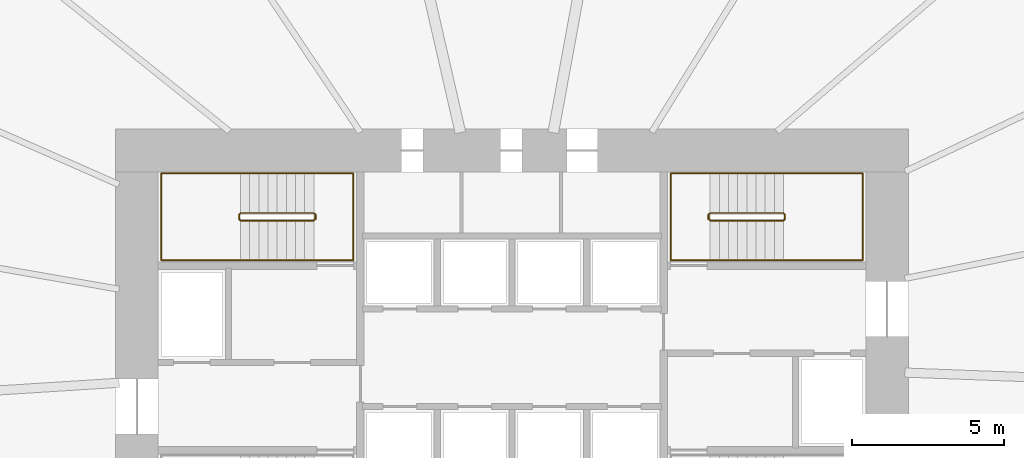
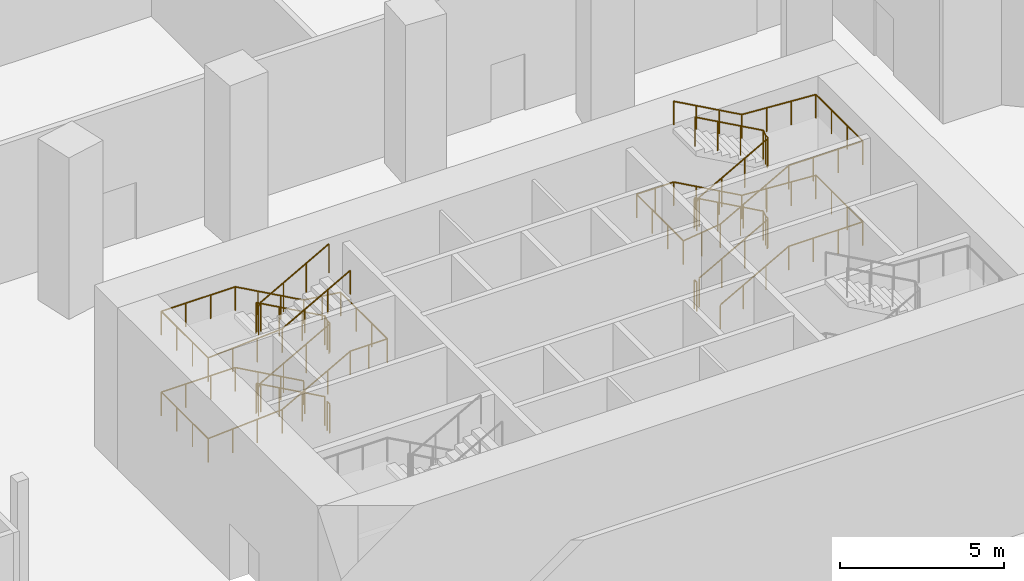
# One storey, part 15 of 19: 6 railings.
"""IFC4 building model written with IfcOpenShell, lengths in metres."""

from ifc_helpers import new_model, si_unit, direction, frame, origin, origin_2d, place, context, subcontext, project, spatial, circle, extrude, material, type_object, element, save


model = new_model("IFC4")

# Units and contexts
model_context = context("Model", 3, precision=1e-05, world=origin(), true_north=direction((0.0, 1.0)))
body_context = subcontext(model_context, "Body", "Model", "MODEL_VIEW")
ifc_project = project(units=[si_unit("LENGTHUNIT", "METRE"), si_unit("AREAUNIT", "SQUARE_METRE"), si_unit("VOLUMEUNIT", "CUBIC_METRE"), si_unit("PLANEANGLEUNIT", "RADIAN"), si_unit("MASSUNIT", "GRAM", prefix="KILO")], contexts=[model_context])

# Site, building, storey
site_placement = place(None, origin())
site = spatial("IfcSite", under=ifc_project, at=site_placement, CompositionType="ELEMENT")
building_placement = place(site_placement, origin())
building = spatial("IfcBuilding", under=site, at=building_placement, Name="Rubra Terraces Tower", CompositionType="ELEMENT")
storey_placement = place(building_placement, frame((0.0, 0.0, -6.0)))
storey = spatial("IfcBuildingStorey", under=building, at=storey_placement, Name="B1", CompositionType="ELEMENT", Elevation=-6.0)

# Railings
ifc_material = material(Name="Stainless steel", Category="steel")
railing_type_1 = type_object("IfcRailingType", Name="Core stair guard 1100", PredefinedType="GUARDRAIL", material=ifc_material)
railing_1_placement = place(storey_placement, frame((-6.5, 9.25, 0.166748046875)))
element("IfcRailing", 1, at=railing_1_placement, inside=storey, type_object=railing_type_1, Name="B1 stair S2 guard 1", PredefinedType="GUARDRAIL", context=body_context, shape_type="SweptSolid", body=[
    extrude(circle(Radius=0.02392578125, at=origin_2d()), frame((0.0, 0.0, 1.076171875), z_axis=(-0.874161470802, 0.0, 0.485635380677), x_axis=(0.0, -1.0, 0.0)), (0.0, 0.0, 1.0), 2.745361328125),
    extrude(circle(Radius=0.02392578125, at=origin_2d()), frame((-2.39990234375, 0.0, 2.4091796875), z_axis=(-0.707106781187, -0.707106781187, 0.0), x_axis=(0.707106781187, -0.707106781187, 0.0)), (0.0, 0.0, 1.0), 0.07080078125),
    extrude(circle(Radius=0.02392578125, at=origin_2d()), frame((-2.449951171875, -0.050048828125, 2.4091796875), z_axis=(0.0, -1.0, 0.0), x_axis=(1.0, 0.0, 0.0)), (0.0, 0.0, 1.0), 0.14990234375),
    extrude(circle(Radius=0.02392578125, at=origin_2d()), frame((-2.449951171875, -0.199951171875, 2.4091796875), z_axis=(0.27628659633, -0.27628659633, 0.920506074601), x_axis=(0.707106781187, 0.707106781187, 0.0)), (0.0, 0.0, 1.0), 0.18115234375),
    extrude(circle(Radius=0.02392578125, at=origin_2d()), frame((-2.39990234375, -0.25, 2.576171875), z_axis=(0.874161470802, 0.0, 0.485635380677), x_axis=(0.0, 1.0, 0.0)), (0.0, 0.0, 1.0), 2.745361328125),
    extrude(circle(Radius=0.02392578125, at=origin_2d()), frame((0.0, -0.25, 3.9091796875), z_axis=(0.707106781187, 0.707106781187, 0.0), x_axis=(-0.707106781187, 0.707106781187, 0.0)), (0.0, 0.0, 1.0), 0.07080078125),
    extrude(circle(Radius=0.02392578125, at=origin_2d()), frame((0.050048828125, -0.199951171875, 3.9091796875), z_axis=(0.0, 1.0, 0.0), x_axis=(-1.0, 0.0, 0.0)), (0.0, 0.0, 1.0), 0.14990234375),
    extrude(circle(Radius=0.02392578125, at=origin_2d()), frame((0.050048828125, -0.050048828125, 3.9091796875), z_axis=(-0.27628659633, 0.27628659633, 0.920506074601), x_axis=(-0.707106781187, -0.707106781187, 0.0)), (0.0, 0.0, 1.0), 0.18115234375),
    extrude(circle(Radius=0.02392578125, at=origin_2d()), frame((0.0, 0.0, 4.076171875), z_axis=(-0.874161470802, 0.0, 0.485635380677), x_axis=(0.0, -1.0, 0.0)), (0.0, 0.0, 1.0), 2.745361328125),
    extrude(circle(Radius=0.02392578125, at=origin_2d()), frame((-2.39990234375, 0.0, 5.4091796875), z_axis=(-0.707106781187, -0.707106781187, 0.0), x_axis=(0.707106781187, -0.707106781187, 0.0)), (0.0, 0.0, 1.0), 0.07080078125),
    extrude(circle(Radius=0.02392578125, at=origin_2d()), frame((-2.449951171875, -0.050048828125, 5.4091796875), z_axis=(0.0, -1.0, 0.0), x_axis=(1.0, 0.0, 0.0)), (0.0, 0.0, 1.0), 0.14990234375),
    extrude(circle(Radius=0.02392578125, at=origin_2d()), frame((-2.449951171875, -0.199951171875, 5.4091796875), z_axis=(0.27628659633, -0.27628659633, 0.920506074601), x_axis=(0.707106781187, 0.707106781187, 0.0)), (0.0, 0.0, 1.0), 0.18115234375),
    extrude(circle(Radius=0.02392578125, at=origin_2d()), frame((-2.39990234375, -0.25, 5.576171875), z_axis=(0.874161470802, 0.0, 0.485635380677), x_axis=(0.0, 1.0, 0.0)), (0.0, 0.0, 1.0), 2.745361328125),
    extrude(circle(Radius=0.02099609375, at=origin_2d()), origin(), (0.0, 0.0, 1.0), 1.052001953125),
    extrude(circle(Radius=0.02099609375, at=origin_2d()), frame((-0.800048828125, 0.0, 0.4443359375)), (0.0, 0.0, 1.0), 1.052001953125),
    extrude(circle(Radius=0.02099609375, at=origin_2d()), frame((-1.599853515625, 0.0, 0.888916015625)), (0.0, 0.0, 1.0), 1.052001953125),
    extrude(circle(Radius=0.02099609375, at=origin_2d()), frame((-2.39990234375, 0.0, 1.333251953125)), (0.0, 0.0, 1.0), 1.052001953125),
    extrude(circle(Radius=0.02099609375, at=origin_2d()), frame((-2.449951171875, -0.050048828125, 1.333251953125)), (0.0, 0.0, 1.0), 1.052001953125),
    extrude(circle(Radius=0.02099609375, at=origin_2d()), frame((-2.449951171875, -0.199951171875, 1.333251953125)), (0.0, 0.0, 1.0), 1.052001953125),
    extrude(circle(Radius=0.02099609375, at=origin_2d()), frame((-2.39990234375, -0.25, 1.5)), (0.0, 0.0, 1.0), 1.052001953125),
    extrude(circle(Radius=0.02099609375, at=origin_2d()), frame((-1.599853515625, -0.25, 1.9443359375)), (0.0, 0.0, 1.0), 1.052001953125),
    extrude(circle(Radius=0.02099609375, at=origin_2d()), frame((-0.800048828125, -0.25, 2.388916015625)), (0.0, 0.0, 1.0), 1.052001953125),
    extrude(circle(Radius=0.02099609375, at=origin_2d()), frame((0.0, -0.25, 2.833251953125)), (0.0, 0.0, 1.0), 1.052001953125),
    extrude(circle(Radius=0.02099609375, at=origin_2d()), frame((0.050048828125, -0.199951171875, 2.833251953125)), (0.0, 0.0, 1.0), 1.052001953125),
    extrude(circle(Radius=0.02099609375, at=origin_2d()), frame((0.050048828125, -0.050048828125, 2.833251953125)), (0.0, 0.0, 1.0), 1.052001953125),
    extrude(circle(Radius=0.02099609375, at=origin_2d()), frame((0.0, 0.0, 3.0)), (0.0, 0.0, 1.0), 1.052001953125),
    extrude(circle(Radius=0.02099609375, at=origin_2d()), frame((-0.800048828125, 0.0, 3.4443359375)), (0.0, 0.0, 1.0), 1.052001953125),
    extrude(circle(Radius=0.02099609375, at=origin_2d()), frame((-1.599853515625, 0.0, 3.888916015625)), (0.0, 0.0, 1.0), 1.052001953125),
    extrude(circle(Radius=0.02099609375, at=origin_2d()), frame((-2.39990234375, 0.0, 4.333251953125)), (0.0, 0.0, 1.0), 1.052001953125),
    extrude(circle(Radius=0.02099609375, at=origin_2d()), frame((-2.449951171875, -0.050048828125, 4.333251953125)), (0.0, 0.0, 1.0), 1.052001953125),
    extrude(circle(Radius=0.02099609375, at=origin_2d()), frame((-2.449951171875, -0.199951171875, 4.333251953125)), (0.0, 0.0, 1.0), 1.052001953125),
    extrude(circle(Radius=0.02099609375, at=origin_2d()), frame((-2.39990234375, -0.25, 4.5)), (0.0, 0.0, 1.0), 1.052001953125),
    extrude(circle(Radius=0.02099609375, at=origin_2d()), frame((-1.599853515625, -0.25, 4.9443359375)), (0.0, 0.0, 1.0), 1.052001953125),
    extrude(circle(Radius=0.02099609375, at=origin_2d()), frame((-0.800048828125, -0.25, 5.388916015625)), (0.0, 0.0, 1.0), 1.052001953125),
    extrude(circle(Radius=0.02099609375, at=origin_2d()), frame((0.0, -0.25, 5.833251953125)), (0.0, 0.0, 1.0), 1.052001953125),
])
railing_2_placement = place(storey_placement, frame((-6.449951171875, 9.199951171875, 0.0)))
element("IfcRailing", 2, at=railing_2_placement, inside=storey, type_object=railing_type_1, Name="B1 stair S2 guard 2", PredefinedType="GUARDRAIL", context=body_context, shape_type="SweptSolid", body=[
    extrude(circle(Radius=0.02392578125, at=origin_2d()), frame((0.0, 0.0, 1.076171875), z_axis=(0.0, -1.0, 0.0), x_axis=(1.0, 0.0, 0.0)), (0.0, 0.0, 1.0), 0.14990234375),
    extrude(circle(Radius=0.02099609375, at=origin_2d()), origin(), (0.0, 0.0, 1.0), 1.052001953125),
    extrude(circle(Radius=0.02099609375, at=origin_2d()), frame((0.0, -0.14990234375, 0.0)), (0.0, 0.0, 1.0), 1.052001953125),
])
railing_3_placement = place(storey_placement, frame((6.5, 9.0, 0.166748046875)))
element("IfcRailing", 3, at=railing_3_placement, inside=storey, type_object=railing_type_1, Name="B1 stair S3 guard 1", PredefinedType="GUARDRAIL", context=body_context, shape_type="SweptSolid", body=[
    extrude(circle(Radius=0.02392578125, at=origin_2d()), frame((0.0, 0.0, 1.076171875), z_axis=(0.874161470802, 0.0, 0.485635380677), x_axis=(0.0, 1.0, 0.0)), (0.0, 0.0, 1.0), 2.745361328125),
    extrude(circle(Radius=0.02392578125, at=origin_2d()), frame((2.39990234375, 0.0, 2.4091796875), z_axis=(0.707106781187, 0.707106781187, 0.0), x_axis=(-0.707106781187, 0.707106781187, 0.0)), (0.0, 0.0, 1.0), 0.07080078125),
    extrude(circle(Radius=0.02392578125, at=origin_2d()), frame((2.449951171875, 0.050048828125, 2.4091796875), z_axis=(0.0, 1.0, 0.0), x_axis=(-1.0, 0.0, 0.0)), (0.0, 0.0, 1.0), 0.14990234375),
    extrude(circle(Radius=0.02392578125, at=origin_2d()), frame((2.449951171875, 0.199951171875, 2.4091796875), z_axis=(-0.27628659633, 0.27628659633, 0.920506074601), x_axis=(-0.707106781187, -0.707106781187, 0.0)), (0.0, 0.0, 1.0), 0.18115234375),
    extrude(circle(Radius=0.02392578125, at=origin_2d()), frame((2.39990234375, 0.25, 2.576171875), z_axis=(-0.874161470802, 0.0, 0.485635380677), x_axis=(0.0, -1.0, 0.0)), (0.0, 0.0, 1.0), 2.745361328125),
    extrude(circle(Radius=0.02392578125, at=origin_2d()), frame((0.0, 0.25, 3.9091796875), z_axis=(-0.707106781187, -0.707106781187, 0.0), x_axis=(0.707106781187, -0.707106781187, 0.0)), (0.0, 0.0, 1.0), 0.07080078125),
    extrude(circle(Radius=0.02392578125, at=origin_2d()), frame((-0.050048828125, 0.199951171875, 3.9091796875), z_axis=(0.0, -1.0, 0.0), x_axis=(1.0, 0.0, 0.0)), (0.0, 0.0, 1.0), 0.14990234375),
    extrude(circle(Radius=0.02392578125, at=origin_2d()), frame((-0.050048828125, 0.050048828125, 3.9091796875), z_axis=(0.27628659633, -0.27628659633, 0.920506074601), x_axis=(0.707106781187, 0.707106781187, 0.0)), (0.0, 0.0, 1.0), 0.18115234375),
    extrude(circle(Radius=0.02392578125, at=origin_2d()), frame((0.0, 0.0, 4.076171875), z_axis=(0.874161470802, 0.0, 0.485635380677), x_axis=(0.0, 1.0, 0.0)), (0.0, 0.0, 1.0), 2.745361328125),
    extrude(circle(Radius=0.02392578125, at=origin_2d()), frame((2.39990234375, 0.0, 5.4091796875), z_axis=(0.707106781187, 0.707106781187, 0.0), x_axis=(-0.707106781187, 0.707106781187, 0.0)), (0.0, 0.0, 1.0), 0.07080078125),
    extrude(circle(Radius=0.02392578125, at=origin_2d()), frame((2.449951171875, 0.050048828125, 5.4091796875), z_axis=(0.0, 1.0, 0.0), x_axis=(-1.0, 0.0, 0.0)), (0.0, 0.0, 1.0), 0.14990234375),
    extrude(circle(Radius=0.02392578125, at=origin_2d()), frame((2.449951171875, 0.199951171875, 5.4091796875), z_axis=(-0.27628659633, 0.27628659633, 0.920506074601), x_axis=(-0.707106781187, -0.707106781187, 0.0)), (0.0, 0.0, 1.0), 0.18115234375),
    extrude(circle(Radius=0.02392578125, at=origin_2d()), frame((2.39990234375, 0.25, 5.576171875), z_axis=(-0.874161470802, 0.0, 0.485635380677), x_axis=(0.0, -1.0, 0.0)), (0.0, 0.0, 1.0), 2.745361328125),
    extrude(circle(Radius=0.02099609375, at=origin_2d()), origin(), (0.0, 0.0, 1.0), 1.052001953125),
    extrude(circle(Radius=0.02099609375, at=origin_2d()), frame((0.800048828125, 0.0, 0.4443359375)), (0.0, 0.0, 1.0), 1.052001953125),
    extrude(circle(Radius=0.02099609375, at=origin_2d()), frame((1.599853515625, 0.0, 0.888916015625)), (0.0, 0.0, 1.0), 1.052001953125),
    extrude(circle(Radius=0.02099609375, at=origin_2d()), frame((2.39990234375, 0.0, 1.333251953125)), (0.0, 0.0, 1.0), 1.052001953125),
    extrude(circle(Radius=0.02099609375, at=origin_2d()), frame((2.449951171875, 0.050048828125, 1.333251953125)), (0.0, 0.0, 1.0), 1.052001953125),
    extrude(circle(Radius=0.02099609375, at=origin_2d()), frame((2.449951171875, 0.199951171875, 1.333251953125)), (0.0, 0.0, 1.0), 1.052001953125),
    extrude(circle(Radius=0.02099609375, at=origin_2d()), frame((2.39990234375, 0.25, 1.5)), (0.0, 0.0, 1.0), 1.052001953125),
    extrude(circle(Radius=0.02099609375, at=origin_2d()), frame((1.599853515625, 0.25, 1.9443359375)), (0.0, 0.0, 1.0), 1.052001953125),
    extrude(circle(Radius=0.02099609375, at=origin_2d()), frame((0.800048828125, 0.25, 2.388916015625)), (0.0, 0.0, 1.0), 1.052001953125),
    extrude(circle(Radius=0.02099609375, at=origin_2d()), frame((0.0, 0.25, 2.833251953125)), (0.0, 0.0, 1.0), 1.052001953125),
    extrude(circle(Radius=0.02099609375, at=origin_2d()), frame((-0.050048828125, 0.199951171875, 2.833251953125)), (0.0, 0.0, 1.0), 1.052001953125),
    extrude(circle(Radius=0.02099609375, at=origin_2d()), frame((-0.050048828125, 0.050048828125, 2.833251953125)), (0.0, 0.0, 1.0), 1.052001953125),
    extrude(circle(Radius=0.02099609375, at=origin_2d()), frame((0.0, 0.0, 3.0)), (0.0, 0.0, 1.0), 1.052001953125),
    extrude(circle(Radius=0.02099609375, at=origin_2d()), frame((0.800048828125, 0.0, 3.4443359375)), (0.0, 0.0, 1.0), 1.052001953125),
    extrude(circle(Radius=0.02099609375, at=origin_2d()), frame((1.599853515625, 0.0, 3.888916015625)), (0.0, 0.0, 1.0), 1.052001953125),
    extrude(circle(Radius=0.02099609375, at=origin_2d()), frame((2.39990234375, 0.0, 4.333251953125)), (0.0, 0.0, 1.0), 1.052001953125),
    extrude(circle(Radius=0.02099609375, at=origin_2d()), frame((2.449951171875, 0.050048828125, 4.333251953125)), (0.0, 0.0, 1.0), 1.052001953125),
    extrude(circle(Radius=0.02099609375, at=origin_2d()), frame((2.449951171875, 0.199951171875, 4.333251953125)), (0.0, 0.0, 1.0), 1.052001953125),
    extrude(circle(Radius=0.02099609375, at=origin_2d()), frame((2.39990234375, 0.25, 4.5)), (0.0, 0.0, 1.0), 1.052001953125),
    extrude(circle(Radius=0.02099609375, at=origin_2d()), frame((1.599853515625, 0.25, 4.9443359375)), (0.0, 0.0, 1.0), 1.052001953125),
    extrude(circle(Radius=0.02099609375, at=origin_2d()), frame((0.800048828125, 0.25, 5.388916015625)), (0.0, 0.0, 1.0), 1.052001953125),
    extrude(circle(Radius=0.02099609375, at=origin_2d()), frame((0.0, 0.25, 5.833251953125)), (0.0, 0.0, 1.0), 1.052001953125),
])
railing_4_placement = place(storey_placement, frame((6.449951171875, 9.050048828125, 0.0)))
element("IfcRailing", 4, at=railing_4_placement, inside=storey, type_object=railing_type_1, Name="B1 stair S3 guard 2", PredefinedType="GUARDRAIL", context=body_context, shape_type="SweptSolid", body=[
    extrude(circle(Radius=0.02392578125, at=origin_2d()), frame((0.0, 0.0, 1.076171875), z_axis=(0.0, 1.0, 0.0), x_axis=(-1.0, 0.0, 0.0)), (0.0, 0.0, 1.0), 0.14990234375),
    extrude(circle(Radius=0.02099609375, at=origin_2d()), origin(), (0.0, 0.0, 1.0), 1.052001953125),
    extrude(circle(Radius=0.02099609375, at=origin_2d()), frame((0.0, 0.14990234375, 0.0)), (0.0, 0.0, 1.0), 1.052001953125),
])
railing_type_2 = type_object("IfcRailingType", Name="Core stair handrail 900", PredefinedType="HANDRAIL", material=ifc_material)
railing_5_placement = place(storey_placement, frame((-6.5, 10.550048828125, 0.166748046875)))
element("IfcRailing", 5, at=railing_5_placement, inside=storey, type_object=railing_type_2, Name="B1 stair S2 handrail 1", PredefinedType="HANDRAIL", context=body_context, shape_type="SweptSolid", body=[
    extrude(circle(Radius=0.02392578125, at=origin_2d()), frame((0.0, 0.0, 0.8759765625), z_axis=(-0.874161470802, 0.0, 0.485635380677), x_axis=(0.0, -1.0, 0.0)), (0.0, 0.0, 1.0), 2.745361328125),
    extrude(circle(Radius=0.02392578125, at=origin_2d()), frame((-2.39990234375, 0.0, 2.208984375), z_axis=(-1.0, 0.0, 0.0), x_axis=(0.0, -1.0, 0.0)), (0.0, 0.0, 1.0), 2.60009765625),
    extrude(circle(Radius=0.02392578125, at=origin_2d()), frame((-5.0, 0.0, 2.208984375), z_axis=(0.0, -1.0, 0.0), x_axis=(1.0, 0.0, 0.0)), (0.0, 0.0, 1.0), 2.85009765625),
    extrude(circle(Radius=0.02392578125, at=origin_2d()), frame((-5.0, -2.85009765625, 2.208984375), z_axis=(0.997949899857, 0.0, 0.063999979493), x_axis=(0.0, 1.0, 0.0)), (0.0, 0.0, 1.0), 2.60546875),
    extrude(circle(Radius=0.02392578125, at=origin_2d()), frame((-2.39990234375, -2.85009765625, 2.3759765625), z_axis=(0.874161470802, 0.0, 0.485635380677), x_axis=(0.0, 1.0, 0.0)), (0.0, 0.0, 1.0), 2.745361328125),
    extrude(circle(Radius=0.02392578125, at=origin_2d()), frame((0.0, -2.85009765625, 3.708984375), z_axis=(1.0, 0.0, 0.0), x_axis=(0.0, 1.0, 0.0)), (0.0, 0.0, 1.0), 1.300048828125),
    extrude(circle(Radius=0.02392578125, at=origin_2d()), frame((1.300048828125, -2.85009765625, 3.708984375), z_axis=(0.0, 1.0, 0.0), x_axis=(-1.0, 0.0, 0.0)), (0.0, 0.0, 1.0), 2.85009765625),
    extrude(circle(Radius=0.02392578125, at=origin_2d()), frame((1.300048828125, 0.0, 3.708984375), z_axis=(-0.991874434073, 0.0, 0.12722070206), x_axis=(0.0, -1.0, 0.0)), (0.0, 0.0, 1.0), 1.310791015625),
    extrude(circle(Radius=0.02392578125, at=origin_2d()), frame((0.0, 0.0, 3.8759765625), z_axis=(-0.874161470802, 0.0, 0.485635380677), x_axis=(0.0, -1.0, 0.0)), (0.0, 0.0, 1.0), 2.745361328125),
    extrude(circle(Radius=0.02392578125, at=origin_2d()), frame((-2.39990234375, 0.0, 5.208984375), z_axis=(-1.0, 0.0, 0.0), x_axis=(0.0, -1.0, 0.0)), (0.0, 0.0, 1.0), 2.60009765625),
    extrude(circle(Radius=0.02392578125, at=origin_2d()), frame((-5.0, 0.0, 5.208984375), z_axis=(0.0, -1.0, 0.0), x_axis=(1.0, 0.0, 0.0)), (0.0, 0.0, 1.0), 2.85009765625),
    extrude(circle(Radius=0.02392578125, at=origin_2d()), frame((-5.0, -2.85009765625, 5.208984375), z_axis=(0.997949899857, 0.0, 0.063999979493), x_axis=(0.0, 1.0, 0.0)), (0.0, 0.0, 1.0), 2.60546875),
    extrude(circle(Radius=0.02392578125, at=origin_2d()), frame((-2.39990234375, -2.85009765625, 5.3759765625), z_axis=(0.874161470802, 0.0, 0.485635380677), x_axis=(0.0, 1.0, 0.0)), (0.0, 0.0, 1.0), 2.745361328125),
    extrude(circle(Radius=0.02099609375, at=origin_2d()), origin(), (0.0, 0.0, 1.0), 0.851806640625),
    extrude(circle(Radius=0.02099609375, at=origin_2d()), frame((-0.800048828125, 0.0, 0.4443359375)), (0.0, 0.0, 1.0), 0.851806640625),
    extrude(circle(Radius=0.02099609375, at=origin_2d()), frame((-1.599853515625, 0.0, 0.888916015625)), (0.0, 0.0, 1.0), 0.851806640625),
    extrude(circle(Radius=0.02099609375, at=origin_2d()), frame((-2.39990234375, 0.0, 1.333251953125)), (0.0, 0.0, 1.0), 0.851806640625),
    extrude(circle(Radius=0.02099609375, at=origin_2d()), frame((-3.2666015625, 0.0, 1.333251953125)), (0.0, 0.0, 1.0), 0.851806640625),
    extrude(circle(Radius=0.02099609375, at=origin_2d()), frame((-4.13330078125, 0.0, 1.333251953125)), (0.0, 0.0, 1.0), 0.851806640625),
    extrude(circle(Radius=0.02099609375, at=origin_2d()), frame((-5.0, 0.0, 1.333251953125)), (0.0, 0.0, 1.0), 0.851806640625),
    extrude(circle(Radius=0.02099609375, at=origin_2d()), frame((-5.0, -0.949951171875, 1.333251953125)), (0.0, 0.0, 1.0), 0.851806640625),
    extrude(circle(Radius=0.02099609375, at=origin_2d()), frame((-5.0, -1.900146484375, 1.333251953125)), (0.0, 0.0, 1.0), 0.851806640625),
    extrude(circle(Radius=0.02099609375, at=origin_2d()), frame((-5.0, -2.85009765625, 1.333251953125)), (0.0, 0.0, 1.0), 0.851806640625),
    extrude(circle(Radius=0.02099609375, at=origin_2d()), frame((-4.13330078125, -2.85009765625, 1.388916015625)), (0.0, 0.0, 1.0), 0.851806640625),
    extrude(circle(Radius=0.02099609375, at=origin_2d()), frame((-3.2666015625, -2.85009765625, 1.4443359375)), (0.0, 0.0, 1.0), 0.851806640625),
    extrude(circle(Radius=0.02099609375, at=origin_2d()), frame((-2.39990234375, -2.85009765625, 1.5)), (0.0, 0.0, 1.0), 0.851806640625),
    extrude(circle(Radius=0.02099609375, at=origin_2d()), frame((-1.599853515625, -2.85009765625, 1.9443359375)), (0.0, 0.0, 1.0), 0.851806640625),
    extrude(circle(Radius=0.02099609375, at=origin_2d()), frame((-0.800048828125, -2.85009765625, 2.388916015625)), (0.0, 0.0, 1.0), 0.851806640625),
    extrude(circle(Radius=0.02099609375, at=origin_2d()), frame((0.0, -2.85009765625, 2.833251953125)), (0.0, 0.0, 1.0), 0.851806640625),
    extrude(circle(Radius=0.02099609375, at=origin_2d()), frame((0.64990234375, -2.85009765625, 2.833251953125)), (0.0, 0.0, 1.0), 0.851806640625),
    extrude(circle(Radius=0.02099609375, at=origin_2d()), frame((1.300048828125, -2.85009765625, 2.833251953125)), (0.0, 0.0, 1.0), 0.851806640625),
    extrude(circle(Radius=0.02099609375, at=origin_2d()), frame((1.300048828125, -1.900146484375, 2.833251953125)), (0.0, 0.0, 1.0), 0.851806640625),
    extrude(circle(Radius=0.02099609375, at=origin_2d()), frame((1.300048828125, -0.949951171875, 2.833251953125)), (0.0, 0.0, 1.0), 0.851806640625),
    extrude(circle(Radius=0.02099609375, at=origin_2d()), frame((1.300048828125, 0.0, 2.833251953125)), (0.0, 0.0, 1.0), 0.851806640625),
    extrude(circle(Radius=0.02099609375, at=origin_2d()), frame((0.64990234375, 0.0, 2.91650390625)), (0.0, 0.0, 1.0), 0.851806640625),
    extrude(circle(Radius=0.02099609375, at=origin_2d()), frame((0.0, 0.0, 3.0)), (0.0, 0.0, 1.0), 0.851806640625),
    extrude(circle(Radius=0.02099609375, at=origin_2d()), frame((-0.800048828125, 0.0, 3.4443359375)), (0.0, 0.0, 1.0), 0.851806640625),
    extrude(circle(Radius=0.02099609375, at=origin_2d()), frame((-1.599853515625, 0.0, 3.888916015625)), (0.0, 0.0, 1.0), 0.851806640625),
    extrude(circle(Radius=0.02099609375, at=origin_2d()), frame((-2.39990234375, 0.0, 4.333251953125)), (0.0, 0.0, 1.0), 0.851806640625),
    extrude(circle(Radius=0.02099609375, at=origin_2d()), frame((-3.2666015625, 0.0, 4.333251953125)), (0.0, 0.0, 1.0), 0.851806640625),
    extrude(circle(Radius=0.02099609375, at=origin_2d()), frame((-4.13330078125, 0.0, 4.333251953125)), (0.0, 0.0, 1.0), 0.851806640625),
    extrude(circle(Radius=0.02099609375, at=origin_2d()), frame((-5.0, 0.0, 4.333251953125)), (0.0, 0.0, 1.0), 0.851806640625),
    extrude(circle(Radius=0.02099609375, at=origin_2d()), frame((-5.0, -0.949951171875, 4.333251953125)), (0.0, 0.0, 1.0), 0.851806640625),
    extrude(circle(Radius=0.02099609375, at=origin_2d()), frame((-5.0, -1.900146484375, 4.333251953125)), (0.0, 0.0, 1.0), 0.851806640625),
    extrude(circle(Radius=0.02099609375, at=origin_2d()), frame((-5.0, -2.85009765625, 4.333251953125)), (0.0, 0.0, 1.0), 0.851806640625),
    extrude(circle(Radius=0.02099609375, at=origin_2d()), frame((-4.13330078125, -2.85009765625, 4.388916015625)), (0.0, 0.0, 1.0), 0.851806640625),
    extrude(circle(Radius=0.02099609375, at=origin_2d()), frame((-3.2666015625, -2.85009765625, 4.4443359375)), (0.0, 0.0, 1.0), 0.851806640625),
    extrude(circle(Radius=0.02099609375, at=origin_2d()), frame((-2.39990234375, -2.85009765625, 4.5)), (0.0, 0.0, 1.0), 0.851806640625),
    extrude(circle(Radius=0.02099609375, at=origin_2d()), frame((-1.599853515625, -2.85009765625, 4.9443359375)), (0.0, 0.0, 1.0), 0.851806640625),
    extrude(circle(Radius=0.02099609375, at=origin_2d()), frame((-0.800048828125, -2.85009765625, 5.388916015625)), (0.0, 0.0, 1.0), 0.851806640625),
    extrude(circle(Radius=0.02099609375, at=origin_2d()), frame((0.0, -2.85009765625, 5.833251953125)), (0.0, 0.0, 1.0), 0.851806640625),
])
railing_6_placement = place(storey_placement, frame((6.5, 7.699951171875, 0.166748046875)))
element("IfcRailing", 6, at=railing_6_placement, inside=storey, type_object=railing_type_2, Name="B1 stair S3 handrail 1", PredefinedType="HANDRAIL", context=body_context, shape_type="SweptSolid", body=[
    extrude(circle(Radius=0.02392578125, at=origin_2d()), frame((0.0, 0.0, 0.8759765625), z_axis=(0.874161470802, 0.0, 0.485635380677), x_axis=(0.0, 1.0, 0.0)), (0.0, 0.0, 1.0), 2.745361328125),
    extrude(circle(Radius=0.02392578125, at=origin_2d()), frame((2.39990234375, 0.0, 2.208984375), z_axis=(1.0, 0.0, 0.0), x_axis=(0.0, 1.0, 0.0)), (0.0, 0.0, 1.0), 2.60009765625),
    extrude(circle(Radius=0.02392578125, at=origin_2d()), frame((5.0, 0.0, 2.208984375), z_axis=(0.0, 1.0, 0.0), x_axis=(-1.0, 0.0, 0.0)), (0.0, 0.0, 1.0), 2.85009765625),
    extrude(circle(Radius=0.02392578125, at=origin_2d()), frame((5.0, 2.85009765625, 2.208984375), z_axis=(-0.997949899857, 0.0, 0.063999979493), x_axis=(0.0, -1.0, 0.0)), (0.0, 0.0, 1.0), 2.60546875),
    extrude(circle(Radius=0.02392578125, at=origin_2d()), frame((2.39990234375, 2.85009765625, 2.3759765625), z_axis=(-0.874161470802, 0.0, 0.485635380677), x_axis=(0.0, -1.0, 0.0)), (0.0, 0.0, 1.0), 2.745361328125),
    extrude(circle(Radius=0.02392578125, at=origin_2d()), frame((0.0, 2.85009765625, 3.708984375), z_axis=(-1.0, 0.0, 0.0), x_axis=(0.0, -1.0, 0.0)), (0.0, 0.0, 1.0), 1.300048828125),
    extrude(circle(Radius=0.02392578125, at=origin_2d()), frame((-1.300048828125, 2.85009765625, 3.708984375), z_axis=(0.0, -1.0, 0.0), x_axis=(1.0, 0.0, 0.0)), (0.0, 0.0, 1.0), 2.85009765625),
    extrude(circle(Radius=0.02392578125, at=origin_2d()), frame((-1.300048828125, 0.0, 3.708984375), z_axis=(0.991874434073, 0.0, 0.12722070206), x_axis=(0.0, 1.0, 0.0)), (0.0, 0.0, 1.0), 1.310791015625),
    extrude(circle(Radius=0.02392578125, at=origin_2d()), frame((0.0, 0.0, 3.8759765625), z_axis=(0.874161470802, 0.0, 0.485635380677), x_axis=(0.0, 1.0, 0.0)), (0.0, 0.0, 1.0), 2.745361328125),
    extrude(circle(Radius=0.02392578125, at=origin_2d()), frame((2.39990234375, 0.0, 5.208984375), z_axis=(1.0, 0.0, 0.0), x_axis=(0.0, 1.0, 0.0)), (0.0, 0.0, 1.0), 2.60009765625),
    extrude(circle(Radius=0.02392578125, at=origin_2d()), frame((5.0, 0.0, 5.208984375), z_axis=(0.0, 1.0, 0.0), x_axis=(-1.0, 0.0, 0.0)), (0.0, 0.0, 1.0), 2.85009765625),
    extrude(circle(Radius=0.02392578125, at=origin_2d()), frame((5.0, 2.85009765625, 5.208984375), z_axis=(-0.997949899857, 0.0, 0.063999979493), x_axis=(0.0, -1.0, 0.0)), (0.0, 0.0, 1.0), 2.60546875),
    extrude(circle(Radius=0.02392578125, at=origin_2d()), frame((2.39990234375, 2.85009765625, 5.3759765625), z_axis=(-0.874161470802, 0.0, 0.485635380677), x_axis=(0.0, -1.0, 0.0)), (0.0, 0.0, 1.0), 2.745361328125),
    extrude(circle(Radius=0.02099609375, at=origin_2d()), origin(), (0.0, 0.0, 1.0), 0.851806640625),
    extrude(circle(Radius=0.02099609375, at=origin_2d()), frame((0.800048828125, 0.0, 0.4443359375)), (0.0, 0.0, 1.0), 0.851806640625),
    extrude(circle(Radius=0.02099609375, at=origin_2d()), frame((1.599853515625, 0.0, 0.888916015625)), (0.0, 0.0, 1.0), 0.851806640625),
    extrude(circle(Radius=0.02099609375, at=origin_2d()), frame((2.39990234375, 0.0, 1.333251953125)), (0.0, 0.0, 1.0), 0.851806640625),
    extrude(circle(Radius=0.02099609375, at=origin_2d()), frame((3.2666015625, 0.0, 1.333251953125)), (0.0, 0.0, 1.0), 0.851806640625),
    extrude(circle(Radius=0.02099609375, at=origin_2d()), frame((4.13330078125, 0.0, 1.333251953125)), (0.0, 0.0, 1.0), 0.851806640625),
    extrude(circle(Radius=0.02099609375, at=origin_2d()), frame((5.0, 0.0, 1.333251953125)), (0.0, 0.0, 1.0), 0.851806640625),
    extrude(circle(Radius=0.02099609375, at=origin_2d()), frame((5.0, 0.949951171875, 1.333251953125)), (0.0, 0.0, 1.0), 0.851806640625),
    extrude(circle(Radius=0.02099609375, at=origin_2d()), frame((5.0, 1.900146484375, 1.333251953125)), (0.0, 0.0, 1.0), 0.851806640625),
    extrude(circle(Radius=0.02099609375, at=origin_2d()), frame((5.0, 2.85009765625, 1.333251953125)), (0.0, 0.0, 1.0), 0.851806640625),
    extrude(circle(Radius=0.02099609375, at=origin_2d()), frame((4.13330078125, 2.85009765625, 1.388916015625)), (0.0, 0.0, 1.0), 0.851806640625),
    extrude(circle(Radius=0.02099609375, at=origin_2d()), frame((3.2666015625, 2.85009765625, 1.4443359375)), (0.0, 0.0, 1.0), 0.851806640625),
    extrude(circle(Radius=0.02099609375, at=origin_2d()), frame((2.39990234375, 2.85009765625, 1.5)), (0.0, 0.0, 1.0), 0.851806640625),
    extrude(circle(Radius=0.02099609375, at=origin_2d()), frame((1.599853515625, 2.85009765625, 1.9443359375)), (0.0, 0.0, 1.0), 0.851806640625),
    extrude(circle(Radius=0.02099609375, at=origin_2d()), frame((0.800048828125, 2.85009765625, 2.388916015625)), (0.0, 0.0, 1.0), 0.851806640625),
    extrude(circle(Radius=0.02099609375, at=origin_2d()), frame((0.0, 2.85009765625, 2.833251953125)), (0.0, 0.0, 1.0), 0.851806640625),
    extrude(circle(Radius=0.02099609375, at=origin_2d()), frame((-0.64990234375, 2.85009765625, 2.833251953125)), (0.0, 0.0, 1.0), 0.851806640625),
    extrude(circle(Radius=0.02099609375, at=origin_2d()), frame((-1.300048828125, 2.85009765625, 2.833251953125)), (0.0, 0.0, 1.0), 0.851806640625),
    extrude(circle(Radius=0.02099609375, at=origin_2d()), frame((-1.300048828125, 1.900146484375, 2.833251953125)), (0.0, 0.0, 1.0), 0.851806640625),
    extrude(circle(Radius=0.02099609375, at=origin_2d()), frame((-1.300048828125, 0.949951171875, 2.833251953125)), (0.0, 0.0, 1.0), 0.851806640625),
    extrude(circle(Radius=0.02099609375, at=origin_2d()), frame((-1.300048828125, 0.0, 2.833251953125)), (0.0, 0.0, 1.0), 0.851806640625),
    extrude(circle(Radius=0.02099609375, at=origin_2d()), frame((-0.64990234375, 0.0, 2.91650390625)), (0.0, 0.0, 1.0), 0.851806640625),
    extrude(circle(Radius=0.02099609375, at=origin_2d()), frame((0.0, 0.0, 3.0)), (0.0, 0.0, 1.0), 0.851806640625),
    extrude(circle(Radius=0.02099609375, at=origin_2d()), frame((0.800048828125, 0.0, 3.4443359375)), (0.0, 0.0, 1.0), 0.851806640625),
    extrude(circle(Radius=0.02099609375, at=origin_2d()), frame((1.599853515625, 0.0, 3.888916015625)), (0.0, 0.0, 1.0), 0.851806640625),
    extrude(circle(Radius=0.02099609375, at=origin_2d()), frame((2.39990234375, 0.0, 4.333251953125)), (0.0, 0.0, 1.0), 0.851806640625),
    extrude(circle(Radius=0.02099609375, at=origin_2d()), frame((3.2666015625, 0.0, 4.333251953125)), (0.0, 0.0, 1.0), 0.851806640625),
    extrude(circle(Radius=0.02099609375, at=origin_2d()), frame((4.13330078125, 0.0, 4.333251953125)), (0.0, 0.0, 1.0), 0.851806640625),
    extrude(circle(Radius=0.02099609375, at=origin_2d()), frame((5.0, 0.0, 4.333251953125)), (0.0, 0.0, 1.0), 0.851806640625),
    extrude(circle(Radius=0.02099609375, at=origin_2d()), frame((5.0, 0.949951171875, 4.333251953125)), (0.0, 0.0, 1.0), 0.851806640625),
    extrude(circle(Radius=0.02099609375, at=origin_2d()), frame((5.0, 1.900146484375, 4.333251953125)), (0.0, 0.0, 1.0), 0.851806640625),
    extrude(circle(Radius=0.02099609375, at=origin_2d()), frame((5.0, 2.85009765625, 4.333251953125)), (0.0, 0.0, 1.0), 0.851806640625),
    extrude(circle(Radius=0.02099609375, at=origin_2d()), frame((4.13330078125, 2.85009765625, 4.388916015625)), (0.0, 0.0, 1.0), 0.851806640625),
    extrude(circle(Radius=0.02099609375, at=origin_2d()), frame((3.2666015625, 2.85009765625, 4.4443359375)), (0.0, 0.0, 1.0), 0.851806640625),
    extrude(circle(Radius=0.02099609375, at=origin_2d()), frame((2.39990234375, 2.85009765625, 4.5)), (0.0, 0.0, 1.0), 0.851806640625),
    extrude(circle(Radius=0.02099609375, at=origin_2d()), frame((1.599853515625, 2.85009765625, 4.9443359375)), (0.0, 0.0, 1.0), 0.851806640625),
    extrude(circle(Radius=0.02099609375, at=origin_2d()), frame((0.800048828125, 2.85009765625, 5.388916015625)), (0.0, 0.0, 1.0), 0.851806640625),
    extrude(circle(Radius=0.02099609375, at=origin_2d()), frame((0.0, 2.85009765625, 5.833251953125)), (0.0, 0.0, 1.0), 0.851806640625),
])

save(model, "model.ifc")
